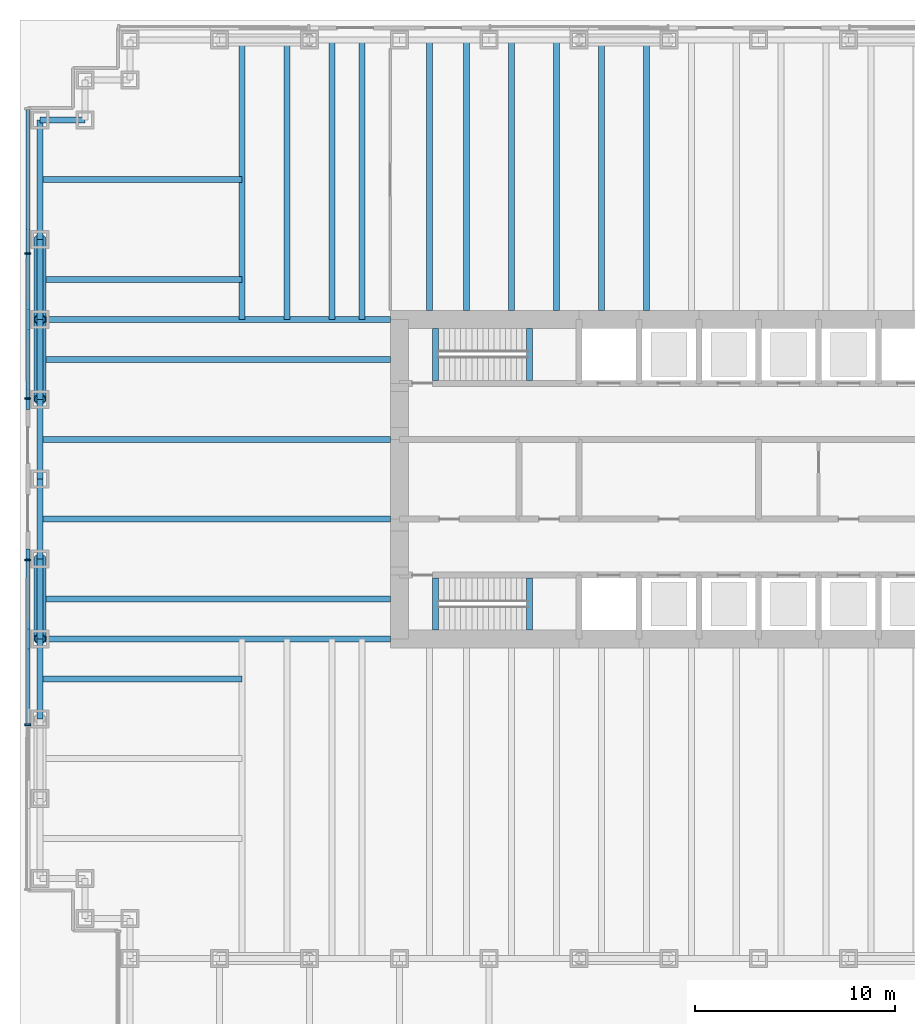
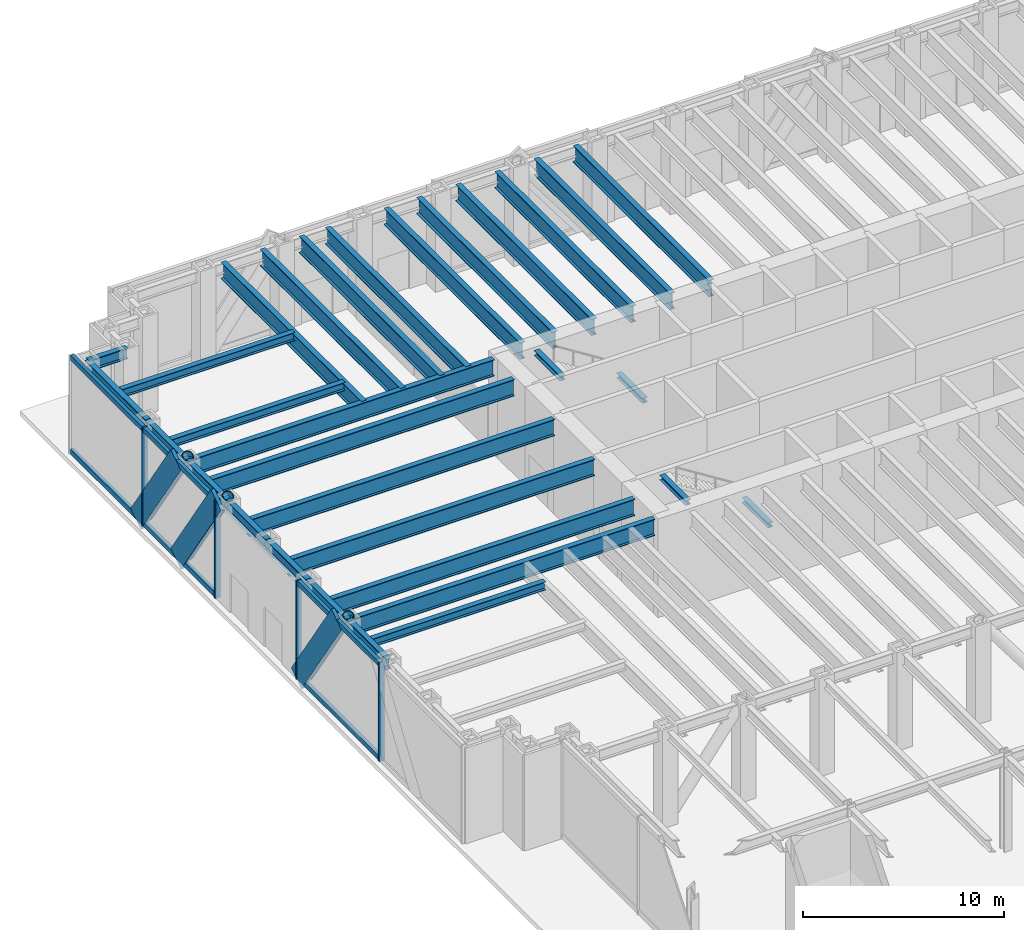
# One storey, part 4 of 17: 31 beams, 16 members, 2 elements without a shape of their own.
"""IFC4 building model written with IfcOpenShell, lengths in metres."""

from ifc_helpers import new_model, si_unit, direction, frame, origin, origin_2d, place, context, subcontext, project, spatial, rectangle, hollow_circle, i_section, extrude, material, material_profile, profile_set, type_object, element, aggregate, save


model = new_model("IFC4")

# Units and contexts
model_context = context("Model", 3, precision=1e-05, world=origin(), true_north=direction((0.0, 1.0)))
body_context = subcontext(model_context, "Body", "Model", "MODEL_VIEW")
ifc_project = project(units=[si_unit("LENGTHUNIT", "METRE"), si_unit("AREAUNIT", "SQUARE_METRE"), si_unit("VOLUMEUNIT", "CUBIC_METRE"), si_unit("PLANEANGLEUNIT", "RADIAN"), si_unit("MASSUNIT", "GRAM", prefix="KILO")], contexts=[model_context])

# Site, building, storey
site_placement = place(None, origin())
site = spatial("IfcSite", under=ifc_project, at=site_placement, CompositionType="ELEMENT")
building_placement = place(site_placement, origin())
building = spatial("IfcBuilding", under=site, at=building_placement, Name="Rheinbord Bourse Tower", CompositionType="ELEMENT")
storey_placement = place(building_placement, origin())
storey = spatial("IfcBuildingStorey", under=building, at=storey_placement, Name="L00", CompositionType="ELEMENT", Elevation=0.0)

# Curtain wall, members
ifc_material_1 = material(Name="Dark glass and black aluminium", Category="aluminium")
curtain_wall_type = type_object("IfcCurtainWallType", Name="CW4 DARK GLASS CURTAIN WALL", PredefinedType="USERDEFINED", material=ifc_material_1)
curtain_wall_1_placement = place(storey_placement, origin())
curtain_wall_1 = element("IfcCurtainWall", 1, at=curtain_wall_1_placement, inside=storey, type_object=curtain_wall_type, Name="Curtain wall CW4 W L00", ObjectType="UNITISED CURTAIN WALL", PredefinedType="USERDEFINED")
ifc_material_2 = material(Name="Black anodised aluminium", Category="aluminium")
ifc_material_profile_1 = material_profile(ifc_material_2, rectangle(XDim=0.199951171875, YDim=1.2099609375, at=origin_2d()), Name="CW4 DIAGONAL MULLION 1210x200")
ifc_profile_set_1 = profile_set([ifc_material_profile_1], Name="Black anodised aluminium")
member_type_1 = type_object("IfcMemberType", Name="CW4 BLACK DIAGONAL MULLION", PredefinedType="USERDEFINED", material=ifc_profile_set_1)
member_1_placement = place(storey_placement, frame((-0.60009765625, 36.0, 0.0), z_axis=(0.0, -0.554700196225, 0.832050294338), x_axis=(1.0, 0.0, 0.0)))
member_1 = element("IfcMember", 2, at=member_1_placement, type_object=member_type_1, Name="CW4 diagonal mullion b", ObjectType="DIAGONAL MULLION", PredefinedType="USERDEFINED", context=body_context, shape_type="SweptSolid", body=[
    extrude(rectangle(XDim=0.199951171875, YDim=1.2099609375, at=origin_2d()), origin(), (0.0, 0.0, 1.0), 7.211181640625),
])
member_2_placement = place(storey_placement, frame((-0.60009765625, 32.0, 0.0), z_axis=(0.0, -0.554700196225, 0.832050294338), x_axis=(1.0, 0.0, 0.0)))
member_2 = element("IfcMember", 3, at=member_2_placement, type_object=member_type_1, Name="CW4 diagonal mullion c", ObjectType="DIAGONAL MULLION", PredefinedType="USERDEFINED", context=body_context, shape_type="SweptSolid", body=[
    extrude(rectangle(XDim=0.199951171875, YDim=1.2099609375, at=origin_2d()), origin(), (0.0, 0.0, 1.0), 7.211181640625),
])

# Curtain wall, member
curtain_wall_2_placement = place(storey_placement, origin())
curtain_wall_2 = element("IfcCurtainWall", 4, at=curtain_wall_2_placement, inside=storey, type_object=curtain_wall_type, Name="Curtain wall CW4 W L00", ObjectType="UNITISED CURTAIN WALL", PredefinedType="USERDEFINED")
member_3_placement = place(storey_placement, frame((-0.60009765625, 20.0, 0.0), z_axis=(0.0, -0.554700196225, 0.832050294338), x_axis=(1.0, 0.0, 0.0)))
member_3 = element("IfcMember", 5, at=member_3_placement, type_object=member_type_1, Name="CW4 diagonal mullion d", ObjectType="DIAGONAL MULLION", PredefinedType="USERDEFINED", context=body_context, shape_type="SweptSolid", body=[
    extrude(rectangle(XDim=0.199951171875, YDim=1.2099609375, at=origin_2d()), origin(), (0.0, 0.0, 1.0), 7.211181640625),
])

# Member
ifc_material_3 = material(Name="Black anodised aluminium", Category="aluminium")
ifc_material_profile_2 = material_profile(ifc_material_3, rectangle(XDim=0.300048828125, YDim=0.090087890625, at=origin_2d()), Name="CW4 MULLION 90x300")
ifc_profile_set_2 = profile_set([ifc_material_profile_2], Name="Black anodised aluminium")
member_type_2 = type_object("IfcMemberType", Name="CW4 BLACK MULLION", PredefinedType="MULLION", material=ifc_profile_set_2)
member_4_placement = place(storey_placement, frame((-0.60009765625, 35.300048828125, 0.0), z_axis=(0.0, 0.0, 1.0), x_axis=(1.0, 0.0, 0.0)))
member_4 = element("IfcMember", 6, at=member_4_placement, type_object=member_type_2, Name="CW4 mullion 2", PredefinedType="MULLION", context=body_context, shape_type="SweptSolid", body=[
    extrude(rectangle(XDim=0.300048828125, YDim=0.090087890625, at=origin_2d()), origin(), (0.0, 0.0, 1.0), 6.0),
])

member_5_placement = place(storey_placement, frame((-0.60009765625, 28.044921875, 0.0), z_axis=(0.0, 0.0, 1.0), x_axis=(1.0, 0.0, 0.0)))
member_5 = element("IfcMember", 7, at=member_5_placement, type_object=member_type_2, Name="CW4 mullion 3", PredefinedType="MULLION", context=body_context, shape_type="SweptSolid", body=[
    extrude(rectangle(XDim=0.300048828125, YDim=0.090087890625, at=origin_2d()), origin(), (0.0, 0.0, 1.0), 6.0),
])

member_6_placement = place(storey_placement, frame((-0.60009765625, 19.955078125, 0.0), z_axis=(0.0, 0.0, 1.0), x_axis=(1.0, 0.0, 0.0)))
member_6 = element("IfcMember", 8, at=member_6_placement, type_object=member_type_2, Name="CW4 mullion 1", PredefinedType="MULLION", context=body_context, shape_type="SweptSolid", body=[
    extrude(rectangle(XDim=0.300048828125, YDim=0.090087890625, at=origin_2d()), origin(), (0.0, 0.0, 1.0), 6.0),
])

member_7_placement = place(storey_placement, frame((-0.60009765625, 11.699951171875, 0.0), z_axis=(0.0, 0.0, 1.0), x_axis=(1.0, 0.0, 0.0)))
member_7 = element("IfcMember", 9, at=member_7_placement, type_object=member_type_2, Name="CW4 mullion 2", PredefinedType="MULLION", context=body_context, shape_type="SweptSolid", body=[
    extrude(rectangle(XDim=0.300048828125, YDim=0.090087890625, at=origin_2d()), origin(), (0.0, 0.0, 1.0), 6.0),
])

ifc_material_4 = material(Name="Black anodised aluminium", Category="aluminium")
ifc_material_profile_3 = material_profile(ifc_material_4, rectangle(XDim=0.199951171875, YDim=0.300048828125, at=origin_2d()), Name="CW4 TRANSOM 300x200")
ifc_profile_set_3 = profile_set([ifc_material_profile_3], Name="Black anodised aluminium")
member_type_3 = type_object("IfcMemberType", Name="CW4 BLACK TRANSOM", PredefinedType="USERDEFINED", material=ifc_profile_set_3)
member_8_placement = place(storey_placement, frame((-0.60009765625, 42.510009765625, 0.14990234375), z_axis=(0.0, -1.0, 0.0), x_axis=(1.0, 0.0, 0.0)))
member_8 = element("IfcMember", 10, at=member_8_placement, type_object=member_type_3, Name="CW4 transom 1.1", ObjectType="TRANSOM", PredefinedType="USERDEFINED", context=body_context, shape_type="SweptSolid", body=[
    extrude(rectangle(XDim=0.199951171875, YDim=0.300048828125, at=origin_2d()), origin(), (0.0, 0.0, 1.0), 7.1650390625),
])

member_9_placement = place(storey_placement, frame((-0.60009765625, 42.510009765625, 5.85009765625), z_axis=(0.0, -1.0, 0.0), x_axis=(1.0, 0.0, 0.0)))
member_9 = element("IfcMember", 11, at=member_9_placement, type_object=member_type_3, Name="CW4 transom 1.2", ObjectType="TRANSOM", PredefinedType="USERDEFINED", context=body_context, shape_type="SweptSolid", body=[
    extrude(rectangle(XDim=0.199951171875, YDim=0.300048828125, at=origin_2d()), origin(), (0.0, 0.0, 1.0), 7.1650390625),
])

member_10_placement = place(storey_placement, frame((-0.60009765625, 35.2548828125, 0.14990234375), z_axis=(0.0, -1.0, 0.0), x_axis=(1.0, 0.0, 0.0)))
member_10 = element("IfcMember", 12, at=member_10_placement, type_object=member_type_3, Name="CW4 transom 2.1", ObjectType="TRANSOM", PredefinedType="USERDEFINED", context=body_context, shape_type="SweptSolid", body=[
    extrude(rectangle(XDim=0.199951171875, YDim=0.300048828125, at=origin_2d()), origin(), (0.0, 0.0, 1.0), 7.164794921875),
])

member_11_placement = place(storey_placement, frame((-0.60009765625, 35.2548828125, 5.85009765625), z_axis=(0.0, -1.0, 0.0), x_axis=(1.0, 0.0, 0.0)))
member_11 = element("IfcMember", 13, at=member_11_placement, type_object=member_type_3, Name="CW4 transom 2.2", ObjectType="TRANSOM", PredefinedType="USERDEFINED", context=body_context, shape_type="SweptSolid", body=[
    extrude(rectangle(XDim=0.199951171875, YDim=0.300048828125, at=origin_2d()), origin(), (0.0, 0.0, 1.0), 7.164794921875),
])

aggregate(curtain_wall_1, [member_4, member_5, member_8, member_9, member_10, member_11, member_1, member_2])

member_12_placement = place(storey_placement, frame((-0.60009765625, 19.909912109375, 0.14990234375), z_axis=(0.0, -1.0, 0.0), x_axis=(1.0, 0.0, 0.0)))
member_12 = element("IfcMember", 14, at=member_12_placement, type_object=member_type_3, Name="CW4 transom 1.1", ObjectType="TRANSOM", PredefinedType="USERDEFINED", context=body_context, shape_type="SweptSolid", body=[
    extrude(rectangle(XDim=0.199951171875, YDim=0.300048828125, at=origin_2d()), origin(), (0.0, 0.0, 1.0), 8.164794921875),
])

member_13_placement = place(storey_placement, frame((-0.60009765625, 19.909912109375, 5.85009765625), z_axis=(0.0, -1.0, 0.0), x_axis=(1.0, 0.0, 0.0)))
member_13 = element("IfcMember", 15, at=member_13_placement, type_object=member_type_3, Name="CW4 transom 1.2", ObjectType="TRANSOM", PredefinedType="USERDEFINED", context=body_context, shape_type="SweptSolid", body=[
    extrude(rectangle(XDim=0.199951171875, YDim=0.300048828125, at=origin_2d()), origin(), (0.0, 0.0, 1.0), 8.164794921875),
])

aggregate(curtain_wall_2, [member_6, member_7, member_12, member_13, member_3])

# Beams
ifc_material_5 = material(Name="Steel S460", Category="steel")
ifc_material_profile_4 = material_profile(ifc_material_5, i_section(OverallWidth=0.302001953125, OverallDepth=1.008056640625, WebThickness=0.02099609375, FlangeThickness=0.0400390625, at=origin_2d()), Name="HEM 1000")
ifc_profile_set_4 = profile_set([ifc_material_profile_4], Name="Steel S460")
beam_type_1 = type_object("IfcBeamType", Name="END BEAM HEM 1000", PredefinedType="BEAM", material=ifc_profile_set_4)
for number, where, z_axis, x_axis, name in (
    (16, (0.0, 18.0, 5.31591796875), (1.0, 0.0, 0.0), (0.0, 1.0, 0.0), "End beam west 18 L01"),
    (17, (0.0, 22.0, 5.31591796875), (1.0, 0.0, 0.0), (0.0, 1.0, 0.0), "End beam west 22 L01"),
    (18, (0.0, 26.0, 5.31591796875), (1.0, 0.0, 0.0), (0.0, 1.0, 0.0), "End beam west 26 L01"),
    (19, (0.0, 30.0, 5.31591796875), (1.0, 0.0, 0.0), (0.0, 1.0, 0.0), "End beam west 30 L01"),
):
    element("IfcBeam", number, at=place(storey_placement, frame(where, z_axis=z_axis, x_axis=x_axis)), inside=storey, type_object=beam_type_1, Name=name, PredefinedType="BEAM", context=body_context, shape_type="SweptSolid", body=[
        extrude(i_section(OverallWidth=0.302001953125, OverallDepth=1.008056640625, WebThickness=0.02099609375, FlangeThickness=0.0400390625, at=origin_2d()), origin(), (0.0, 0.0, 1.0), 17.550048828125),
    ])
ifc_material_6 = material(Name="Steel S460", Category="steel")
ifc_material_profile_5 = material_profile(ifc_material_6, i_section(OverallWidth=0.302001953125, OverallDepth=1.008056640625, WebThickness=0.02099609375, FlangeThickness=0.0400390625, at=origin_2d()), Name="HEM 1000")
ifc_profile_set_5 = profile_set([ifc_material_profile_5], Name="Steel S460")
beam_type_2 = type_object("IfcBeamType", Name="FLOOR BEAM HEM 1000", PredefinedType="BEAM", material=ifc_profile_set_5)
for number, where, z_axis, x_axis, name in (
    (20, (10.125, 46.0, 5.31591796875), (0.0, -1.0, 0.0), (1.0, 0.0, 0.0), "Floor beam N-9a L01"),
    (21, (12.375, 46.0, 5.31591796875), (0.0, -1.0, 0.0), (1.0, 0.0, 0.0), "Floor beam N-9b L01"),
    (22, (14.625, 46.0, 5.31591796875), (0.0, -1.0, 0.0), (1.0, 0.0, 0.0), "Floor beam N-13.5a L01"),
    (23, (16.125, 46.0, 5.31591796875), (0.0, -1.0, 0.0), (1.0, 0.0, 0.0), "Floor beam N-13.5b L01"),
):
    element("IfcBeam", number, at=place(storey_placement, frame(where, z_axis=z_axis, x_axis=x_axis)), inside=storey, type_object=beam_type_2, Name=name, PredefinedType="BEAM", context=body_context, shape_type="SweptSolid", body=[
        extrude(i_section(OverallWidth=0.302001953125, OverallDepth=1.008056640625, WebThickness=0.02099609375, FlangeThickness=0.0400390625, at=origin_2d()), origin(), (0.0, 0.0, 1.0), 14.0),
    ])
for number, where, z_axis, x_axis, name in (
    (24, (19.5, 46.0, 5.31591796875), (0.0, -1.0, 0.0), (1.0, 0.0, 0.0), "Floor beam N-18a L01"),
    (25, (21.375, 46.0, 5.31591796875), (0.0, -1.0, 0.0), (1.0, 0.0, 0.0), "Floor beam N-18b L01"),
    (26, (23.625, 46.0, 5.31591796875), (0.0, -1.0, 0.0), (1.0, 0.0, 0.0), "Floor beam N-22.5a L01"),
    (27, (25.875, 46.0, 5.31591796875), (0.0, -1.0, 0.0), (1.0, 0.0, 0.0), "Floor beam N-22.5b L01"),
    (28, (28.125, 46.0, 5.31591796875), (0.0, -1.0, 0.0), (1.0, 0.0, 0.0), "Floor beam N-27a L01"),
    (29, (30.375, 46.0, 5.31591796875), (0.0, -1.0, 0.0), (1.0, 0.0, 0.0), "Floor beam N-27b L01"),
):
    element("IfcBeam", number, at=place(storey_placement, frame(where, z_axis=z_axis, x_axis=x_axis)), inside=storey, type_object=beam_type_2, Name=name, PredefinedType="BEAM", context=body_context, shape_type="SweptSolid", body=[
        extrude(i_section(OverallWidth=0.302001953125, OverallDepth=1.008056640625, WebThickness=0.02099609375, FlangeThickness=0.0400390625, at=origin_2d()), origin(), (0.0, 0.0, 1.0), 13.550048828125),
    ])
ifc_material_7 = material(Name="Steel S460", Category="steel")
ifc_material_profile_6 = material_profile(ifc_material_7, i_section(OverallWidth=0.302001953125, OverallDepth=1.008056640625, WebThickness=0.02099609375, FlangeThickness=0.0400390625, at=origin_2d()), Name="HEM 1000")
ifc_profile_set_6 = profile_set([ifc_material_profile_6], Name="Steel S460")
beam_type_3 = type_object("IfcBeamType", Name="GIRDER HEM 1000", PredefinedType="BEAM", material=ifc_profile_set_6)
for number, where, z_axis, x_axis, name in (
    (30, (0.0, 16.0, 5.31591796875), (1.0, 0.0, 0.0), (0.0, 1.0, 0.0), "Girder west 16 L01"),
    (31, (0.0, 32.0, 5.31591796875), (1.0, 0.0, 0.0), (0.0, 1.0, 0.0), "Girder west 32 L01"),
):
    element("IfcBeam", number, at=place(storey_placement, frame(where, z_axis=z_axis, x_axis=x_axis)), inside=storey, type_object=beam_type_3, Name=name, PredefinedType="BEAM", context=body_context, shape_type="SweptSolid", body=[
        extrude(i_section(OverallWidth=0.302001953125, OverallDepth=1.008056640625, WebThickness=0.02099609375, FlangeThickness=0.0400390625, at=origin_2d()), origin(), (0.0, 0.0, 1.0), 17.550048828125),
    ])
ifc_material_8 = material(Name="Steel S460", Category="steel")
ifc_material_profile_7 = material_profile(ifc_material_8, i_section(OverallWidth=0.300048828125, OverallDepth=0.300048828125, WebThickness=0.010986328125, FlangeThickness=0.01904296875, at=origin_2d()), Name="HEB 300")
ifc_profile_set_7 = profile_set([ifc_material_profile_7], Name="Steel S460")
beam_type_4 = type_object("IfcBeamType", Name="LANDING TRIMMER HEB 300", PredefinedType="BEAM", material=ifc_profile_set_7)
for number, where, z_axis, x_axis, name in (
    (32, (24.530029296875, 16.449951171875, 2.64990234375), (0.0, 1.0, 0.0), (-1.0, 0.0, 0.0), "Landing trimmer ST1 L00"),
    (33, (19.800048828125, 16.449951171875, 5.669921875), (0.0, 1.0, 0.0), (-1.0, 0.0, 0.0), "Well trimmer ST1 under L01"),
    (34, (24.530029296875, 28.949951171875, 2.64990234375), (0.0, 1.0, 0.0), (-1.0, 0.0, 0.0), "Landing trimmer ST2 L00"),
    (35, (19.800048828125, 28.949951171875, 5.669921875), (0.0, 1.0, 0.0), (-1.0, 0.0, 0.0), "Well trimmer ST2 under L01"),
):
    element("IfcBeam", number, at=place(storey_placement, frame(where, z_axis=z_axis, x_axis=x_axis)), inside=storey, type_object=beam_type_4, Name=name, PredefinedType="BEAM", context=body_context, shape_type="SweptSolid", body=[
        extrude(i_section(OverallWidth=0.300048828125, OverallDepth=0.300048828125, WebThickness=0.010986328125, FlangeThickness=0.01904296875, at=origin_2d()), origin(), (0.0, 0.0, 1.0), 2.60009765625),
    ])

# Members
ifc_material_9 = material(Name="Steel S460", Category="steel")
ifc_material_profile_8 = material_profile(ifc_material_9, hollow_circle(Radius=0.304931640625, WallThickness=0.050048828125, at=origin_2d()), Name="CHS 610x50")
ifc_profile_set_8 = profile_set([ifc_material_profile_8], Name="Steel S460")
member_type_4 = type_object("IfcMemberType", Name="MEGABRACE CHS 610x50", PredefinedType="BRACE", material=ifc_profile_set_8)
for number, where, z_axis, x_axis, name in (
    (36, (0.0, 36.0, 0.0), (0.0, -0.554700196225, 0.832050294338), (1.0, 0.0, 0.0), "Megabrace W face line b L00"),
    (37, (0.0, 32.0, 0.0), (0.0, -0.554700196225, 0.832050294338), (1.0, 0.0, 0.0), "Megabrace W face line c L00"),
    (38, (0.0, 20.0, 0.0), (0.0, -0.554700196225, 0.832050294338), (1.0, 0.0, 0.0), "Megabrace W face line d L00"),
):
    element("IfcMember", number, at=place(storey_placement, frame(where, z_axis=z_axis, x_axis=x_axis)), inside=storey, type_object=member_type_4, Name=name, PredefinedType="BRACE", context=body_context, shape_type="SweptSolid", body=[
        extrude(hollow_circle(Radius=0.304931640625, WallThickness=0.050048828125, at=origin_2d()), origin(), (0.0, 0.0, 1.0), 7.211181640625),
    ])

# Beams
ifc_material_10 = material(Name="Steel S460", Category="steel")
ifc_material_profile_9 = material_profile(ifc_material_10, i_section(OverallWidth=0.304931640625, OverallDepth=0.66796875, WebThickness=0.02099609375, FlangeThickness=0.0400390625, at=origin_2d()), Name="HEM 650")
ifc_profile_set_9 = profile_set([ifc_material_profile_9], Name="Steel S460")
beam_type_5 = type_object("IfcBeamType", Name="SPANDREL HEM 650", PredefinedType="SPANDREL", material=ifc_profile_set_9)
beam_1_placement = place(storey_placement, frame((2.25, 42.0, 5.486083984375), z_axis=(-1.0, 0.0, 0.0), x_axis=(0.0, -1.0, 0.0)))
element("IfcBeam", 39, at=beam_1_placement, inside=storey, type_object=beam_type_5, Name="Spandrel NW-B-NW-A under L01", PredefinedType="SPANDREL", context=body_context, shape_type="SweptSolid", body=[
    extrude(i_section(OverallWidth=0.304931640625, OverallDepth=0.66796875, WebThickness=0.02099609375, FlangeThickness=0.0400390625, at=origin_2d()), origin(), (0.0, 0.0, 1.0), 2.25),
])
beam_2_placement = place(storey_placement, frame((0.0, 42.0, 5.486083984375), z_axis=(0.0, -1.0, 0.0), x_axis=(1.0, 0.0, 0.0)))
element("IfcBeam", 40, at=beam_2_placement, inside=storey, type_object=beam_type_5, Name="Spandrel NW-A-W-36 under L01", PredefinedType="SPANDREL", context=body_context, shape_type="SweptSolid", body=[
    extrude(i_section(OverallWidth=0.304931640625, OverallDepth=0.66796875, WebThickness=0.02099609375, FlangeThickness=0.0400390625, at=origin_2d()), origin(), (0.0, 0.0, 1.0), 6.0),
])
for number, where, z_axis, x_axis, name in (
    (41, (0.0, 36.0, 5.486083984375), (0.0, -1.0, 0.0), (1.0, 0.0, 0.0), "Spandrel W-36-W-32 under L01"),
    (42, (0.0, 32.0, 5.486083984375), (0.0, -1.0, 0.0), (1.0, 0.0, 0.0), "Spandrel W-32-W-28 under L01"),
    (43, (0.0, 28.0, 5.486083984375), (0.0, -1.0, 0.0), (1.0, 0.0, 0.0), "Spandrel W-28-W-24 under L01"),
    (44, (0.0, 24.0, 5.486083984375), (0.0, -1.0, 0.0), (1.0, 0.0, 0.0), "Spandrel W-24-W-20 under L01"),
    (45, (0.0, 20.0, 5.486083984375), (0.0, -1.0, 0.0), (1.0, 0.0, 0.0), "Spandrel W-20-W-16 under L01"),
    (46, (0.0, 16.0, 5.486083984375), (0.0, -1.0, 0.0), (1.0, 0.0, 0.0), "Spandrel W-16-W-12 under L01"),
):
    element("IfcBeam", number, at=place(storey_placement, frame(where, z_axis=z_axis, x_axis=x_axis)), inside=storey, type_object=beam_type_5, Name=name, PredefinedType="SPANDREL", context=body_context, shape_type="SweptSolid", body=[
        extrude(i_section(OverallWidth=0.304931640625, OverallDepth=0.66796875, WebThickness=0.02099609375, FlangeThickness=0.0400390625, at=origin_2d()), origin(), (0.0, 0.0, 1.0), 4.0),
    ])
ifc_material_11 = material(Name="Steel S460", Category="steel")
ifc_material_profile_10 = material_profile(ifc_material_11, i_section(OverallWidth=0.300048828125, OverallDepth=0.5, WebThickness=0.014404296875, FlangeThickness=0.028076171875, at=origin_2d()), Name="HEB 500")
ifc_profile_set_10 = profile_set([ifc_material_profile_10], Name="Steel S460")
beam_type_6 = type_object("IfcBeamType", Name="TIE BEAM HEB 500", PredefinedType="JOIST", material=ifc_profile_set_10)
for number, where, z_axis, x_axis, name in (
    (47, (0.0, 14.0, 5.570068359375), (1.0, 0.0, 0.0), (0.0, 1.0, 0.0), "Tie west 14 L01"),
    (48, (0.0, 34.0, 5.570068359375), (1.0, 0.0, 0.0), (0.0, 1.0, 0.0), "Tie west 34 L01"),
    (49, (0.0, 39.0, 5.570068359375), (1.0, 0.0, 0.0), (0.0, 1.0, 0.0), "Tie west 39 L01"),
):
    element("IfcBeam", number, at=place(storey_placement, frame(where, z_axis=z_axis, x_axis=x_axis)), inside=storey, type_object=beam_type_6, Name=name, PredefinedType="JOIST", context=body_context, shape_type="SweptSolid", body=[
        extrude(i_section(OverallWidth=0.300048828125, OverallDepth=0.5, WebThickness=0.014404296875, FlangeThickness=0.028076171875, at=origin_2d()), origin(), (0.0, 0.0, 1.0), 10.125),
    ])

save(model, "model.ifc")
